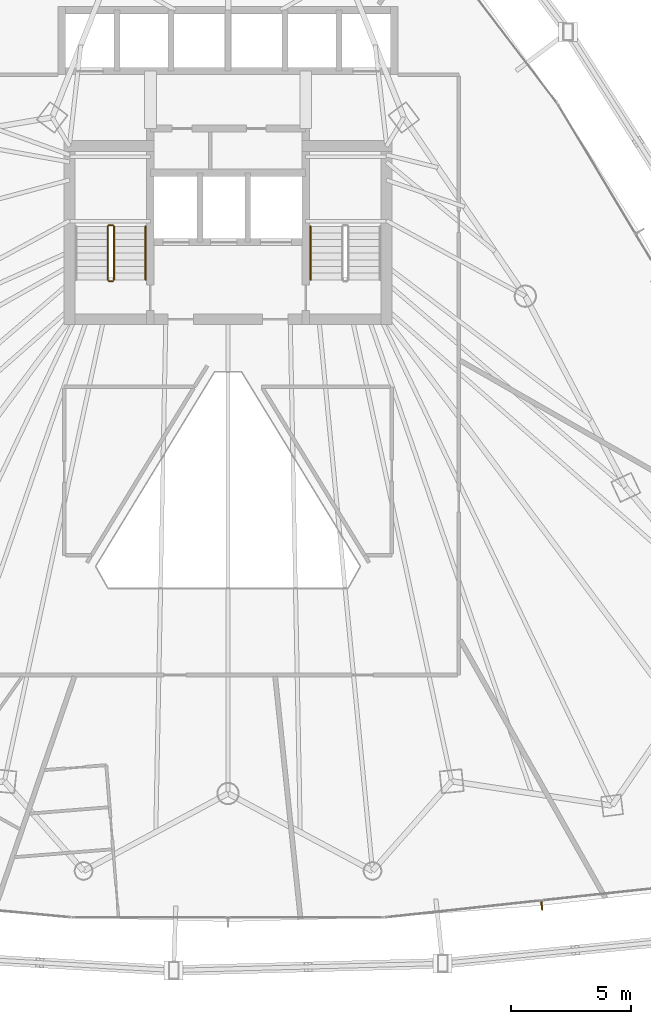
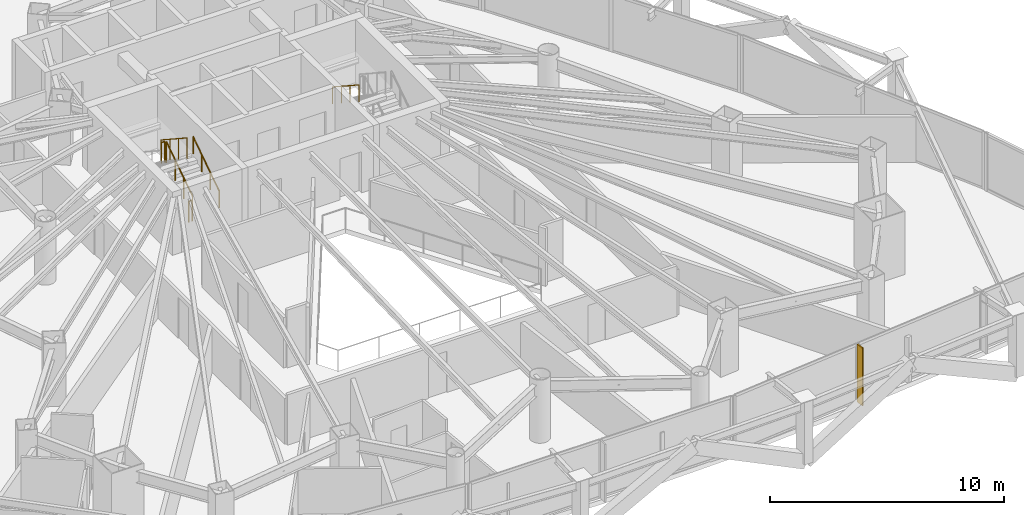
# One storey, part 36 of 38: 6 railings, 1 shading device.
"""IFC4 building model written with IfcOpenShell, lengths in metres."""

from ifc_helpers import new_model, si_unit, direction, frame, origin, origin_2d, place, context, subcontext, project, spatial, rectangle, circle, extrude, material, layer, layer_set, type_object, element, save


model = new_model("IFC4")

# Units and contexts
model_context = context("Model", 3, precision=1e-05, world=origin(), true_north=direction((0.0, 1.0)))
body_context = subcontext(model_context, "Body", "Model", "MODEL_VIEW")
ifc_project = project(units=[si_unit("LENGTHUNIT", "METRE"), si_unit("AREAUNIT", "SQUARE_METRE"), si_unit("VOLUMEUNIT", "CUBIC_METRE"), si_unit("PLANEANGLEUNIT", "RADIAN"), si_unit("MASSUNIT", "GRAM", prefix="KILO")], contexts=[model_context])

# Site, building, storey
site_placement = place(None, origin())
site = spatial("IfcSite", under=ifc_project, at=site_placement, CompositionType="ELEMENT")
building_placement = place(site_placement, origin())
building = spatial("IfcBuilding", under=site, at=building_placement, Name="Orvanel Arch Residences", CompositionType="ELEMENT")
storey_placement = place(building_placement, frame((0.0, 0.0, 56.60009765625)))
storey = spatial("IfcBuildingStorey", under=building, at=storey_placement, Name="L15", CompositionType="ELEMENT", Elevation=56.60009765625)

# Shading device
ifc_material_1 = material(Name="Bronze-anodised aluminium AA6063-T6", Category="aluminium")
ifc_layer = layer(ifc_material_1, 0.06005859375)
ifc_layer_set = layer_set([ifc_layer], Name="Bronze-anodised aluminium AA6063-T6")
shading_device_type = type_object("IfcShadingDeviceType", Name="FIN-BRZ-380", PredefinedType="USERDEFINED", material=ifc_layer_set)
shading_device_placement = place(storey_placement, frame((46.1201171875, 2.152099609375, 0.0), z_axis=(0.0, 0.0, 1.0), x_axis=(0.107999355706, -0.994150963972, 0.0)))
element("IfcShadingDevice", 1, at=shading_device_placement, inside=storey, type_object=shading_device_type, Name="L15 Anodised Bronze Mullion FIN 01", ObjectType="FIN", PredefinedType="USERDEFINED", context=body_context, shape_type="SweptSolid", body=[
    extrude(rectangle(XDim=0.3798828125, YDim=0.06005859375, at=origin_2d()), origin(), (0.0, 0.0, 1.0), 3.02001953125),
])

# Railings
ifc_material_2 = material(Name="Structural steel AS/NZS 1163 C350L0 (Grade 350)", Category="steel")
railing_type_1 = type_object("IfcRailingType", Name="RL-STAIR-GUARD", PredefinedType="GUARDRAIL", material=ifc_material_2)
railing_1_placement = place(storey_placement, frame((28.22998046875, 28.320068359375, 0.183349609375)))
element("IfcRailing", 2, at=railing_1_placement, inside=storey, type_object=railing_type_1, Name="L15 ST-1 stair guard 1", PredefinedType="GUARDRAIL", context=body_context, shape_type="SweptSolid", body=[
    extrude(circle(Radius=0.02392578125, at=origin_2d()), frame((0.0, 0.001220703125, 1.076904296875), z_axis=(0.0, 0.836636935527, 0.547757827979), x_axis=(-1.0, 0.0, 0.0)), (0.0, 0.0, 1.0), 2.67431640625),
    extrude(circle(Radius=0.02099609375, at=origin_2d()), origin(), (0.0, 0.0, 1.0), 1.050048828125),
    extrude(circle(Radius=0.02099609375, at=origin_2d()), frame((0.0, 0.74658203125, 0.48876953125)), (0.0, 0.0, 1.0), 1.050048828125),
    extrude(circle(Radius=0.02099609375, at=origin_2d()), frame((0.0, 1.493408203125, 0.977783203125)), (0.0, 0.0, 1.0), 1.050048828125),
    extrude(circle(Radius=0.02099609375, at=origin_2d()), frame((0.0, 2.239990234375, 1.466552734375)), (0.0, 0.0, 1.0), 1.050048828125),
])
railing_2_placement = place(storey_placement, frame((28.179931640625, 30.610107421875, 1.64990234375)))
element("IfcRailing", 3, at=railing_2_placement, inside=storey, type_object=railing_type_1, Name="L15 ST-1 stair guard 2", PredefinedType="GUARDRAIL", context=body_context, shape_type="SweptSolid", body=[
    extrude(circle(Radius=0.02392578125, at=origin_2d()), frame((-0.00146484375, 0.0, 1.076171875), z_axis=(-1.0, 0.0, 0.0), x_axis=(0.0, -1.0, 0.0)), (0.0, 0.0, 1.0), 0.156982421875),
    extrude(circle(Radius=0.02099609375, at=origin_2d()), origin(), (0.0, 0.0, 1.0), 1.050048828125),
    extrude(circle(Radius=0.02099609375, at=origin_2d()), frame((-0.159912109375, 0.0, 0.0)), (0.0, 0.0, 1.0), 1.050048828125),
])
railing_3_placement = place(storey_placement, frame((27.969970703125, 30.56005859375, 1.833251953125)))
element("IfcRailing", 4, at=railing_3_placement, inside=storey, type_object=railing_type_1, Name="L15 ST-1 stair guard 3", PredefinedType="GUARDRAIL", context=body_context, shape_type="SweptSolid", body=[
    extrude(circle(Radius=0.02392578125, at=origin_2d()), frame((0.0, -0.001220703125, 1.076904296875), z_axis=(0.0, -0.836636935527, 0.547757827979), x_axis=(1.0, 0.0, 0.0)), (0.0, 0.0, 1.0), 2.67431640625),
    extrude(circle(Radius=0.02099609375, at=origin_2d()), origin(), (0.0, 0.0, 1.0), 1.050048828125),
    extrude(circle(Radius=0.02099609375, at=origin_2d()), frame((0.0, -0.74658203125, 0.48876953125)), (0.0, 0.0, 1.0), 1.050048828125),
    extrude(circle(Radius=0.02099609375, at=origin_2d()), frame((0.0, -1.493408203125, 0.977783203125)), (0.0, 0.0, 1.0), 1.050048828125),
    extrude(circle(Radius=0.02099609375, at=origin_2d()), frame((0.0, -2.239990234375, 1.466552734375)), (0.0, 0.0, 1.0), 1.050048828125),
])
railing_4_placement = place(storey_placement, frame((28.179931640625, 28.27001953125, 0.0)))
element("IfcRailing", 5, at=railing_4_placement, inside=storey, type_object=railing_type_1, Name="L15 ST-1 stair guard 4", PredefinedType="GUARDRAIL", context=body_context, shape_type="SweptSolid", body=[
    extrude(circle(Radius=0.02392578125, at=origin_2d()), frame((-0.00146484375, 0.0, 1.076171875), z_axis=(-1.0, 0.0, 0.0), x_axis=(0.0, -1.0, 0.0)), (0.0, 0.0, 1.0), 0.156982421875),
    extrude(circle(Radius=0.02099609375, at=origin_2d()), origin(), (0.0, 0.0, 1.0), 1.050048828125),
    extrude(circle(Radius=0.02099609375, at=origin_2d()), frame((-0.159912109375, 0.0, 0.0)), (0.0, 0.0, 1.0), 1.050048828125),
])
railing_type_2 = type_object("IfcRailingType", Name="RL-STAIR-HAND", PredefinedType="HANDRAIL", material=ifc_material_2)
railing_5_placement = place(storey_placement, frame((29.550048828125, 28.320068359375, 0.183349609375)))
element("IfcRailing", 6, at=railing_5_placement, inside=storey, type_object=railing_type_2, Name="L15 ST-1 stair handrail 1", PredefinedType="HANDRAIL", context=body_context, shape_type="SweptSolid", body=[
    extrude(circle(Radius=0.02392578125, at=origin_2d()), frame((0.0, 0.001220703125, 0.876708984375), z_axis=(0.0, 0.836636935527, 0.547757827979), x_axis=(-1.0, 0.0, 0.0)), (0.0, 0.0, 1.0), 2.67431640625),
    extrude(circle(Radius=0.02099609375, at=origin_2d()), origin(), (0.0, 0.0, 1.0), 0.849853515625),
    extrude(circle(Radius=0.02099609375, at=origin_2d()), frame((0.0, 0.74658203125, 0.48876953125)), (0.0, 0.0, 1.0), 0.849853515625),
    extrude(circle(Radius=0.02099609375, at=origin_2d()), frame((0.0, 1.493408203125, 0.977783203125)), (0.0, 0.0, 1.0), 0.849853515625),
    extrude(circle(Radius=0.02099609375, at=origin_2d()), frame((0.0, 2.239990234375, 1.466552734375)), (0.0, 0.0, 1.0), 0.849853515625),
])
railing_6_placement = place(storey_placement, frame((36.449951171875, 30.56005859375, 1.833251953125)))
element("IfcRailing", 7, at=railing_6_placement, inside=storey, type_object=railing_type_2, Name="L15 ST-2 stair handrail 2", PredefinedType="HANDRAIL", context=body_context, shape_type="SweptSolid", body=[
    extrude(circle(Radius=0.02392578125, at=origin_2d()), frame((0.0, -0.001220703125, 0.876708984375), z_axis=(0.0, -0.836636935527, 0.547757827979), x_axis=(1.0, 0.0, 0.0)), (0.0, 0.0, 1.0), 2.67431640625),
    extrude(circle(Radius=0.02099609375, at=origin_2d()), origin(), (0.0, 0.0, 1.0), 0.849853515625),
    extrude(circle(Radius=0.02099609375, at=origin_2d()), frame((0.0, -0.74658203125, 0.48876953125)), (0.0, 0.0, 1.0), 0.849853515625),
    extrude(circle(Radius=0.02099609375, at=origin_2d()), frame((0.0, -1.493408203125, 0.977783203125)), (0.0, 0.0, 1.0), 0.849853515625),
    extrude(circle(Radius=0.02099609375, at=origin_2d()), frame((0.0, -2.239990234375, 1.466552734375)), (0.0, 0.0, 1.0), 0.849853515625),
])

save(model, "model.ifc")
